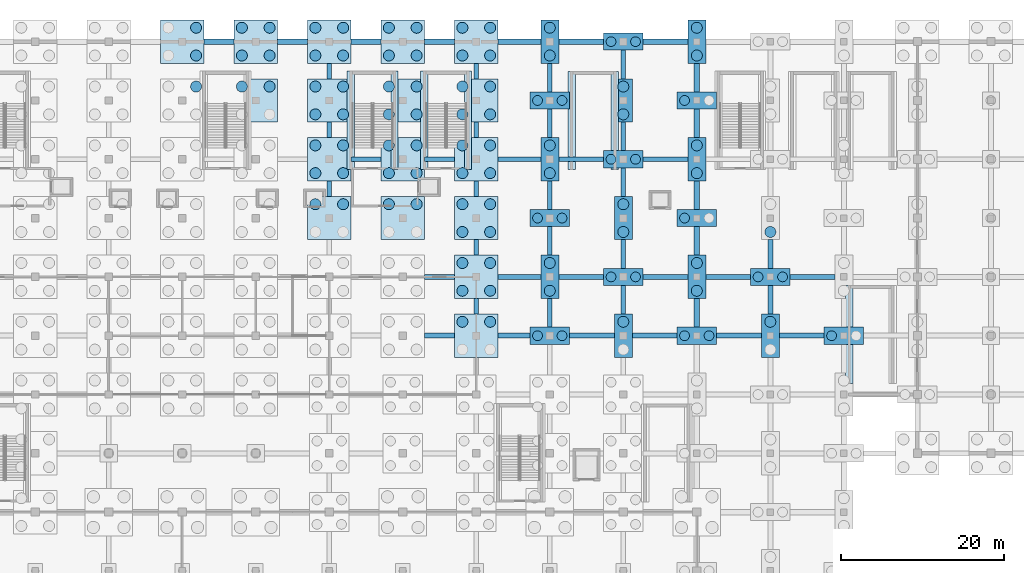
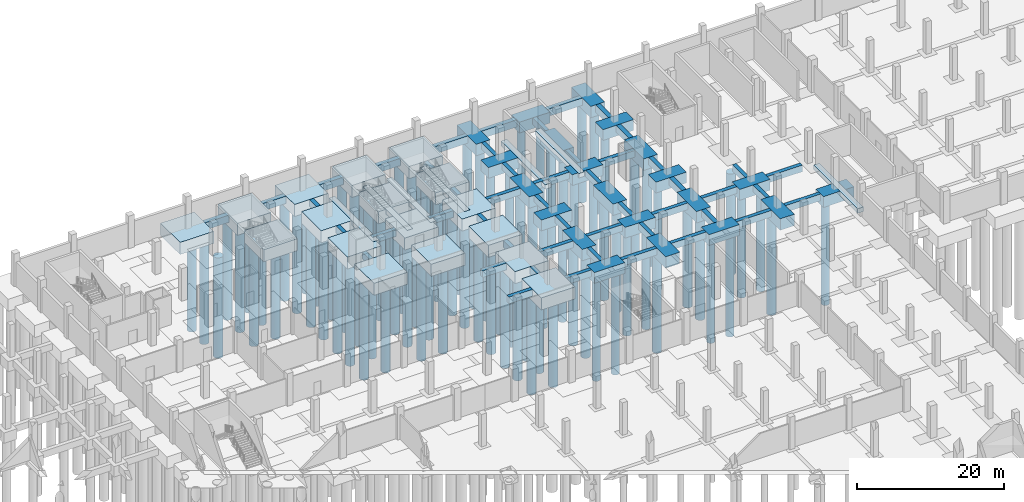
# One storey, part 10 of 39: 97 piles, 94 footings.
"""IFC4 building model written with IfcOpenShell, lengths in metres."""

from ifc_helpers import new_model, si_unit, direction, frame, origin, origin_2d, place, context, subcontext, project, spatial, rectangle, circle, extrude, material, material_profile, profile_set, type_object, element, save


model = new_model("IFC4")

# Units and contexts
model_context = context("Model", 3, precision=1e-05, world=origin(), true_north=direction((0.0, 1.0)))
body_context = subcontext(model_context, "Body", "Model", "MODEL_VIEW")
ifc_project = project(units=[si_unit("LENGTHUNIT", "METRE"), si_unit("AREAUNIT", "SQUARE_METRE"), si_unit("VOLUMEUNIT", "CUBIC_METRE"), si_unit("PLANEANGLEUNIT", "RADIAN"), si_unit("MASSUNIT", "GRAM", prefix="KILO")], contexts=[model_context])

# Site, building, storey
site_placement = place(None, origin())
site = spatial("IfcSite", under=ifc_project, at=site_placement, CompositionType="ELEMENT")
building_placement = place(site_placement, origin())
building = spatial("IfcBuilding", under=site, at=building_placement, Name="Celestram Park Convention Centre", CompositionType="ELEMENT")
storey_placement = place(building_placement, frame((0.0, 0.0, -5.39990234375)))
storey = spatial("IfcBuildingStorey", under=building, at=storey_placement, Name="B1", CompositionType="ELEMENT", Elevation=-5.39990234375)

# Footings
ifc_material_1 = material(Name="Concrete C40/50", Category="concrete")
footing_type_1 = type_object("IfcFootingType", Name="STR-CAP-PC4", PredefinedType="PILE_CAP", material=ifc_material_1)
for number, where, z_axis, x_axis, name in (
    (1, (108.0, 129.60009765625, -1.80029296875), (0.0, 0.0, 1.0), (1.0, 0.0, 0.0), "Caisson cap PC-04 at (108.0, 129.6)"),
    (2, (108.0, 144.0, -1.80029296875), (0.0, 0.0, 1.0), (1.0, 0.0, 0.0), "Caisson cap PC-04 at (108.0, 144.0)"),
    (3, (108.0, 158.39990234375, -1.80029296875), (0.0, 0.0, 1.0), (1.0, 0.0, 0.0), "Caisson cap PC-04 at (108.0, 158.4)"),
    (4, (117.0, 136.800048828125, -1.80029296875), (0.0, 0.0, 1.0), (1.0, 0.0, 0.0), "Caisson cap PC-04 at (117.0, 136.8)"),
    (5, (117.0, 151.199951171875, -1.80029296875), (0.0, 0.0, 1.0), (1.0, 0.0, 0.0), "Caisson cap PC-04 at (117.0, 151.2)"),
    (6, (117.0, 165.60009765625, -1.80029296875), (0.0, 0.0, 1.0), (1.0, 0.0, 0.0), "Caisson cap PC-04 at (117.0, 165.6)"),
    (7, (126.0, 129.60009765625, -1.80029296875), (0.0, 0.0, 1.0), (1.0, 0.0, 0.0), "Caisson cap PC-04 at (126.0, 129.6)"),
    (8, (126.0, 144.0, -1.80029296875), (0.0, 0.0, 1.0), (1.0, 0.0, 0.0), "Caisson cap PC-04 at (126.0, 144.0)"),
    (9, (126.0, 158.39990234375, -1.80029296875), (0.0, 0.0, 1.0), (1.0, 0.0, 0.0), "Caisson cap PC-04 at (126.0, 158.4)"),
    (10, (135.0, 136.800048828125, -1.80029296875), (0.0, 0.0, 1.0), (1.0, 0.0, 0.0), "Caisson cap PC-04 at (135.0, 136.8)"),
    (11, (144.0, 129.60009765625, -1.80029296875), (0.0, 0.0, 1.0), (1.0, 0.0, 0.0), "Caisson cap PC-04 at (144.0, 129.6)"),
):
    element("IfcFooting", number, at=place(storey_placement, frame(where, z_axis=z_axis, x_axis=x_axis)), inside=storey, type_object=footing_type_1, Name=name, PredefinedType="PILE_CAP", context=body_context, shape_type="SweptSolid", body=[
        extrude(rectangle(XDim=4.800048828125, YDim=2.10009765625, at=origin_2d()), origin(), (0.0, 0.0, 1.0), 1.800048828125),
    ])
footing_type_2 = type_object("IfcFootingType", Name="STR-CAP-PC5", PredefinedType="PILE_CAP", material=ifc_material_1)
for number, where, z_axis, x_axis, name in (
    (12, (108.0, 136.800048828125, -1.900146484375), (0.0, 0.0, 1.0), (1.0, 0.0, 0.0), "Caisson cap PC-05 at (108.0, 136.8)"),
    (13, (108.0, 151.199951171875, -1.900146484375), (0.0, 0.0, 1.0), (1.0, 0.0, 0.0), "Caisson cap PC-05 at (108.0, 151.2)"),
    (14, (108.0, 165.60009765625, -1.900146484375), (0.0, 0.0, 1.0), (1.0, 0.0, 0.0), "Caisson cap PC-05 at (108.0, 165.6)"),
    (15, (117.0, 129.60009765625, -1.900146484375), (0.0, 0.0, 1.0), (1.0, 0.0, 0.0), "Caisson cap PC-05 at (117.0, 129.6)"),
    (16, (117.0, 144.0, -1.900146484375), (0.0, 0.0, 1.0), (1.0, 0.0, 0.0), "Caisson cap PC-05 at (117.0, 144.0)"),
    (17, (117.0, 158.39990234375, -1.900146484375), (0.0, 0.0, 1.0), (1.0, 0.0, 0.0), "Caisson cap PC-05 at (117.0, 158.4)"),
    (18, (126.0, 136.800048828125, -1.900146484375), (0.0, 0.0, 1.0), (1.0, 0.0, 0.0), "Caisson cap PC-05 at (126.0, 136.8)"),
    (19, (126.0, 151.199951171875, -1.900146484375), (0.0, 0.0, 1.0), (1.0, 0.0, 0.0), "Caisson cap PC-05 at (126.0, 151.2)"),
    (20, (126.0, 165.60009765625, -1.900146484375), (0.0, 0.0, 1.0), (1.0, 0.0, 0.0), "Caisson cap PC-05 at (126.0, 165.6)"),
    (21, (135.0, 129.60009765625, -1.900146484375), (0.0, 0.0, 1.0), (1.0, 0.0, 0.0), "Caisson cap PC-05 at (135.0, 129.6)"),
):
    element("IfcFooting", number, at=place(storey_placement, frame(where, z_axis=z_axis, x_axis=x_axis)), inside=storey, type_object=footing_type_2, Name=name, PredefinedType="PILE_CAP", context=body_context, shape_type="SweptSolid", body=[
        extrude(rectangle(XDim=2.199951171875, YDim=5.300048828125, at=origin_2d()), origin(), (0.0, 0.0, 1.0), 1.89990234375),
    ])
footing_type_3 = type_object("IfcFootingType", Name="STR-CAP-PC7", PredefinedType="PILE_CAP", material=ifc_material_1)
for number, where, z_axis, x_axis, name in (
    (22, (63.0, 165.60009765625, -2.0), (0.0, 0.0, 1.0), (1.0, 0.0, 0.0), "Caisson cap PC-07 at (63.0, 165.6)"),
    (23, (72.0, 158.39990234375, -2.0), (0.0, 0.0, 1.0), (1.0, 0.0, 0.0), "Caisson cap PC-07 at (72.0, 158.4)"),
    (24, (72.0, 165.60009765625, -2.0), (0.0, 0.0, 1.0), (1.0, 0.0, 0.0), "Caisson cap PC-07 at (72.0, 165.6)"),
    (25, (81.0, 144.0, -2.0), (0.0, 0.0, 1.0), (1.0, 0.0, 0.0), "Caisson cap PC-07 at (81.0, 144.0)"),
    (26, (81.0, 151.199951171875, -2.0), (0.0, 0.0, 1.0), (1.0, 0.0, 0.0), "Caisson cap PC-07 at (81.0, 151.2)"),
    (27, (81.0, 158.39990234375, -2.0), (0.0, 0.0, 1.0), (1.0, 0.0, 0.0), "Caisson cap PC-07 at (81.0, 158.4)"),
    (28, (81.0, 165.60009765625, -2.0), (0.0, 0.0, 1.0), (1.0, 0.0, 0.0), "Caisson cap PC-07 at (81.0, 165.6)"),
    (29, (90.0, 144.0, -2.0), (0.0, 0.0, 1.0), (1.0, 0.0, 0.0), "Caisson cap PC-07 at (90.0, 144.0)"),
    (30, (90.0, 151.199951171875, -2.0), (0.0, 0.0, 1.0), (1.0, 0.0, 0.0), "Caisson cap PC-07 at (90.0, 151.2)"),
    (31, (90.0, 158.39990234375, -2.0), (0.0, 0.0, 1.0), (1.0, 0.0, 0.0), "Caisson cap PC-07 at (90.0, 158.4)"),
    (32, (90.0, 165.60009765625, -2.0), (0.0, 0.0, 1.0), (1.0, 0.0, 0.0), "Caisson cap PC-07 at (90.0, 165.6)"),
    (33, (99.0, 129.60009765625, -2.0), (0.0, 0.0, 1.0), (1.0, 0.0, 0.0), "Caisson cap PC-07 at (99.0, 129.6)"),
    (34, (99.0, 136.800048828125, -2.0), (0.0, 0.0, 1.0), (1.0, 0.0, 0.0), "Caisson cap PC-07 at (99.0, 136.8)"),
    (35, (99.0, 144.0, -2.0), (0.0, 0.0, 1.0), (1.0, 0.0, 0.0), "Caisson cap PC-07 at (99.0, 144.0)"),
    (36, (99.0, 151.199951171875, -2.0), (0.0, 0.0, 1.0), (1.0, 0.0, 0.0), "Caisson cap PC-07 at (99.0, 151.2)"),
    (37, (99.0, 158.39990234375, -2.0), (0.0, 0.0, 1.0), (1.0, 0.0, 0.0), "Caisson cap PC-07 at (99.0, 158.4)"),
    (38, (99.0, 165.60009765625, -2.0), (0.0, 0.0, 1.0), (1.0, 0.0, 0.0), "Caisson cap PC-07 at (99.0, 165.6)"),
):
    element("IfcFooting", number, at=place(storey_placement, frame(where, z_axis=z_axis, x_axis=x_axis)), inside=storey, type_object=footing_type_3, Name=name, PredefinedType="PILE_CAP", context=body_context, shape_type="SweptSolid", body=[
        extrude(rectangle(XDim=5.300048828125, YDim=5.300048828125, at=origin_2d()), origin(), (0.0, 0.0, 1.0), 2.0),
    ])
ifc_material_2 = material(Name="Concrete C35/45", Category="concrete")
footing_type_4 = type_object("IfcFootingType", Name="STR-FTG-GB07", PredefinedType="FOOTING_BEAM", material=ifc_material_2)
for number, where, z_axis, x_axis, name in (
    (39, (104.27490234375, 136.800048828125, -1.10009765625), (0.0, 0.0, 1.0), (1.0, 0.0, 0.0), "Grade tie beam GB-B1-268"),
    (40, (104.27490234375, 151.199951171875, -1.10009765625), (0.0, 0.0, 1.0), (1.0, 0.0, 0.0), "Grade tie beam GB-B1-271"),
):
    element("IfcFooting", number, at=place(storey_placement, frame(where, z_axis=z_axis, x_axis=x_axis)), inside=storey, type_object=footing_type_4, Name=name, PredefinedType="FOOTING_BEAM", context=body_context, shape_type="SweptSolid", body=[
        extrude(rectangle(XDim=5.25, YDim=0.60009765625, at=origin_2d()), origin(), (0.0, 0.0, 1.0), 1.10009765625),
    ])
footing_type_5 = type_object("IfcFootingType", Name="STR-FTG-GB17", PredefinedType="FOOTING_BEAM", material=ifc_material_2)
for number, where, z_axis, x_axis, name in (
    (41, (85.5, 151.199951171875, -1.10009765625), (0.0, 0.0, 1.0), (1.0, 0.0, 0.0), "Grade tie beam GB-B1-222"),
    (42, (94.5, 129.60009765625, -1.10009765625), (0.0, 0.0, 1.0), (1.0, 0.0, 0.0), "Grade tie beam GB-B1-235"),
    (43, (94.5, 136.800048828125, -1.10009765625), (0.0, 0.0, 1.0), (1.0, 0.0, 0.0), "Grade tie beam GB-B1-236"),
    (44, (94.5, 151.199951171875, -1.10009765625), (0.0, 0.0, 1.0), (1.0, 0.0, 0.0), "Grade tie beam GB-B1-237"),
):
    element("IfcFooting", number, at=place(storey_placement, frame(where, z_axis=z_axis, x_axis=x_axis)), inside=storey, type_object=footing_type_5, Name=name, PredefinedType="FOOTING_BEAM", context=body_context, shape_type="SweptSolid", body=[
        extrude(rectangle(XDim=3.699951171875, YDim=0.60009765625, at=origin_2d()), origin(), (0.0, 0.0, 1.0), 1.10009765625),
    ])
footing_type_6 = type_object("IfcFootingType", Name="STR-FTG-GB19", PredefinedType="FOOTING_BEAM", material=ifc_material_2)
for number, where, z_axis, x_axis, name in (
    (45, (67.5, 165.60009765625, -1.2001953125), (0.0, 0.0, 1.0), (1.0, 0.0, 0.0), "Grade tie beam GB-B1-176"),
    (46, (76.5, 165.60009765625, -1.2001953125), (0.0, 0.0, 1.0), (1.0, 0.0, 0.0), "Grade tie beam GB-B1-189"),
    (47, (85.5, 165.60009765625, -1.2001953125), (0.0, 0.0, 1.0), (1.0, 0.0, 0.0), "Grade tie beam GB-B1-225"),
    (48, (94.5, 165.60009765625, -1.2001953125), (0.0, 0.0, 1.0), (1.0, 0.0, 0.0), "Grade tie beam GB-B1-238"),
):
    element("IfcFooting", number, at=place(storey_placement, frame(where, z_axis=z_axis, x_axis=x_axis)), inside=storey, type_object=footing_type_6, Name=name, PredefinedType="FOOTING_BEAM", context=body_context, shape_type="SweptSolid", body=[
        extrude(rectangle(XDim=3.699951171875, YDim=0.699951171875, at=origin_2d()), origin(), (0.0, 0.0, 1.0), 1.199951171875),
    ])
footing_type_7 = type_object("IfcFootingType", Name="STR-FTG-GB23", PredefinedType="FOOTING_BEAM", material=ifc_material_2)
for number, where, z_axis, x_axis, name in (
    (49, (108.0, 132.39990234375, -1.10009765625), (0.0, 0.0, 1.0), (0.0, 1.0, 0.0), "Grade tie beam GB-B1-303"),
    (50, (108.0, 141.199951171875, -1.10009765625), (0.0, 0.0, 1.0), (0.0, 1.0, 0.0), "Grade tie beam GB-B1-305"),
    (51, (108.0, 146.800048828125, -1.10009765625), (0.0, 0.0, 1.0), (0.0, 1.0, 0.0), "Grade tie beam GB-B1-306"),
    (52, (108.0, 155.60009765625, -1.10009765625), (0.0, 0.0, 1.0), (0.0, 1.0, 0.0), "Grade tie beam GB-B1-308"),
    (53, (108.0, 161.199951171875, -1.10009765625), (0.0, 0.0, 1.0), (0.0, 1.0, 0.0), "Grade tie beam GB-B1-309"),
    (54, (117.0, 134.0, -1.10009765625), (0.0, 0.0, 1.0), (0.0, 1.0, 0.0), "Grade tie beam GB-B1-338"),
    (55, (117.0, 139.60009765625, -1.10009765625), (0.0, 0.0, 1.0), (0.0, 1.0, 0.0), "Grade tie beam GB-B1-340"),
    (56, (117.0, 148.39990234375, -1.10009765625), (0.0, 0.0, 1.0), (0.0, 1.0, 0.0), "Grade tie beam GB-B1-341"),
    (57, (117.0, 154.0, -1.10009765625), (0.0, 0.0, 1.0), (0.0, 1.0, 0.0), "Grade tie beam GB-B1-343"),
    (58, (117.0, 162.800048828125, -1.10009765625), (0.0, 0.0, 1.0), (0.0, 1.0, 0.0), "Grade tie beam GB-B1-344"),
    (59, (135.0, 134.0, -1.10009765625), (0.0, 0.0, 1.0), (0.0, 1.0, 0.0), "Grade tie beam GB-B1-402"),
    (60, (135.0, 139.60009765625, -1.10009765625), (0.0, 0.0, 1.0), (0.0, 1.0, 0.0), "Grade tie beam GB-B1-404"),
):
    element("IfcFooting", number, at=place(storey_placement, frame(where, z_axis=z_axis, x_axis=x_axis)), inside=storey, type_object=footing_type_7, Name=name, PredefinedType="FOOTING_BEAM", context=body_context, shape_type="SweptSolid", body=[
        extrude(rectangle(XDim=3.5, YDim=0.60009765625, at=origin_2d()), origin(), (0.0, 0.0, 1.0), 1.10009765625),
    ])
footing_type_8 = type_object("IfcFootingType", Name="STR-FTG-GB24", PredefinedType="FOOTING_BEAM", material=ifc_material_2)
for number, where, z_axis, x_axis, name in (
    (61, (81.0, 147.60009765625, -1.10009765625), (0.0, 0.0, 1.0), (0.0, 1.0, 0.0), "Grade tie beam GB-B1-221"),
    (62, (81.0, 154.800048828125, -1.10009765625), (0.0, 0.0, 1.0), (0.0, 1.0, 0.0), "Grade tie beam GB-B1-223"),
    (63, (81.0, 162.0, -1.10009765625), (0.0, 0.0, 1.0), (0.0, 1.0, 0.0), "Grade tie beam GB-B1-224"),
    (64, (99.0, 133.199951171875, -1.10009765625), (0.0, 0.0, 1.0), (0.0, 1.0, 0.0), "Grade tie beam GB-B1-267"),
    (65, (99.0, 140.39990234375, -1.10009765625), (0.0, 0.0, 1.0), (0.0, 1.0, 0.0), "Grade tie beam GB-B1-269"),
    (66, (99.0, 147.60009765625, -1.10009765625), (0.0, 0.0, 1.0), (0.0, 1.0, 0.0), "Grade tie beam GB-B1-270"),
    (67, (99.0, 154.800048828125, -1.10009765625), (0.0, 0.0, 1.0), (0.0, 1.0, 0.0), "Grade tie beam GB-B1-272"),
    (68, (99.0, 162.0, -1.10009765625), (0.0, 0.0, 1.0), (0.0, 1.0, 0.0), "Grade tie beam GB-B1-273"),
):
    element("IfcFooting", number, at=place(storey_placement, frame(where, z_axis=z_axis, x_axis=x_axis)), inside=storey, type_object=footing_type_8, Name=name, PredefinedType="FOOTING_BEAM", context=body_context, shape_type="SweptSolid", body=[
        extrude(rectangle(XDim=1.89990234375, YDim=0.60009765625, at=origin_2d()), origin(), (0.0, 0.0, 1.0), 1.10009765625),
    ])
footing_type_9 = type_object("IfcFootingType", Name="STR-FTG-GB26", PredefinedType="FOOTING_BEAM", material=ifc_material_2)
footing_1_placement = place(storey_placement, frame((103.625, 129.60009765625, -1.10009765625), z_axis=(0.0, 0.0, 1.0), x_axis=(1.0, 0.0, 0.0)))
element("IfcFooting", 69, at=footing_1_placement, inside=storey, type_object=footing_type_9, Name="Grade tie beam GB-B1-266", PredefinedType="FOOTING_BEAM", context=body_context, shape_type="SweptSolid", body=[
    extrude(rectangle(XDim=3.949951171875, YDim=0.60009765625, at=origin_2d()), origin(), (0.0, 0.0, 1.0), 1.10009765625),
])
footing_type_10 = type_object("IfcFootingType", Name="STR-FTG-GB31", PredefinedType="FOOTING_BEAM", material=ifc_material_2)
footing_2_placement = place(storey_placement, frame((104.27490234375, 165.60009765625, -1.2001953125), z_axis=(0.0, 0.0, 1.0), x_axis=(1.0, 0.0, 0.0)))
element("IfcFooting", 70, at=footing_2_placement, inside=storey, type_object=footing_type_10, Name="Grade tie beam GB-B1-274", PredefinedType="FOOTING_BEAM", context=body_context, shape_type="SweptSolid", body=[
    extrude(rectangle(XDim=5.25, YDim=0.699951171875, at=origin_2d()), origin(), (0.0, 0.0, 1.0), 1.199951171875),
])
footing_type_11 = type_object("IfcFootingType", Name="STR-FTG-GB33", PredefinedType="FOOTING_BEAM", material=ifc_material_2)
for number, where, z_axis, x_axis, name in (
    (71, (113.14990234375, 129.60009765625, -1.10009765625), (0.0, 0.0, 1.0), (1.0, 0.0, 0.0), "Grade tie beam GB-B1-302"),
    (72, (111.85009765625, 136.800048828125, -1.10009765625), (0.0, 0.0, 1.0), (1.0, 0.0, 0.0), "Grade tie beam GB-B1-304"),
    (73, (111.85009765625, 151.199951171875, -1.10009765625), (0.0, 0.0, 1.0), (1.0, 0.0, 0.0), "Grade tie beam GB-B1-307"),
    (74, (120.85009765625, 129.60009765625, -1.10009765625), (0.0, 0.0, 1.0), (1.0, 0.0, 0.0), "Grade tie beam GB-B1-337"),
    (75, (122.14990234375, 136.800048828125, -1.10009765625), (0.0, 0.0, 1.0), (1.0, 0.0, 0.0), "Grade tie beam GB-B1-339"),
    (76, (122.14990234375, 151.199951171875, -1.10009765625), (0.0, 0.0, 1.0), (1.0, 0.0, 0.0), "Grade tie beam GB-B1-342"),
    (77, (131.14990234375, 129.60009765625, -1.10009765625), (0.0, 0.0, 1.0), (1.0, 0.0, 0.0), "Grade tie beam GB-B1-369"),
    (78, (129.85009765625, 136.800048828125, -1.10009765625), (0.0, 0.0, 1.0), (1.0, 0.0, 0.0), "Grade tie beam GB-B1-371"),
    (79, (138.85009765625, 129.60009765625, -1.10009765625), (0.0, 0.0, 1.0), (1.0, 0.0, 0.0), "Grade tie beam GB-B1-401"),
    (80, (140.14990234375, 136.800048828125, -1.10009765625), (0.0, 0.0, 1.0), (1.0, 0.0, 0.0), "Grade tie beam GB-B1-403"),
):
    element("IfcFooting", number, at=place(storey_placement, frame(where, z_axis=z_axis, x_axis=x_axis)), inside=storey, type_object=footing_type_11, Name=name, PredefinedType="FOOTING_BEAM", context=body_context, shape_type="SweptSolid", body=[
        extrude(rectangle(XDim=5.5, YDim=0.60009765625, at=origin_2d()), origin(), (0.0, 0.0, 1.0), 1.10009765625),
    ])
footing_type_12 = type_object("IfcFootingType", Name="STR-FTG-GB34", PredefinedType="FOOTING_BEAM", material=ifc_material_2)
for number, where, z_axis, x_axis, name in (
    (81, (111.85009765625, 165.60009765625, -1.2001953125), (0.0, 0.0, 1.0), (1.0, 0.0, 0.0), "Grade tie beam GB-B1-310"),
    (82, (122.14990234375, 165.60009765625, -1.2001953125), (0.0, 0.0, 1.0), (1.0, 0.0, 0.0), "Grade tie beam GB-B1-345"),
):
    element("IfcFooting", number, at=place(storey_placement, frame(where, z_axis=z_axis, x_axis=x_axis)), inside=storey, type_object=footing_type_12, Name=name, PredefinedType="FOOTING_BEAM", context=body_context, shape_type="SweptSolid", body=[
        extrude(rectangle(XDim=5.5, YDim=0.699951171875, at=origin_2d()), origin(), (0.0, 0.0, 1.0), 1.199951171875),
    ])
footing_type_13 = type_object("IfcFootingType", Name="STR-FTG-GB39", PredefinedType="FOOTING_BEAM", material=ifc_material_2)
for number, where, z_axis, x_axis, name in (
    (83, (126.0, 132.39990234375, -1.2001953125), (0.0, 0.0, 1.0), (0.0, 1.0, 0.0), "Grade tie beam GB-B1-370"),
    (84, (126.0, 141.199951171875, -1.2001953125), (0.0, 0.0, 1.0), (0.0, 1.0, 0.0), "Grade tie beam GB-B1-372"),
    (85, (126.0, 146.800048828125, -1.2001953125), (0.0, 0.0, 1.0), (0.0, 1.0, 0.0), "Grade tie beam GB-B1-373"),
    (86, (126.0, 155.60009765625, -1.2001953125), (0.0, 0.0, 1.0), (0.0, 1.0, 0.0), "Grade tie beam GB-B1-375"),
    (87, (126.0, 161.199951171875, -1.2001953125), (0.0, 0.0, 1.0), (0.0, 1.0, 0.0), "Grade tie beam GB-B1-376"),
):
    element("IfcFooting", number, at=place(storey_placement, frame(where, z_axis=z_axis, x_axis=x_axis)), inside=storey, type_object=footing_type_13, Name=name, PredefinedType="FOOTING_BEAM", context=body_context, shape_type="SweptSolid", body=[
        extrude(rectangle(XDim=3.5, YDim=0.699951171875, at=origin_2d()), origin(), (0.0, 0.0, 1.0), 1.199951171875),
    ])
footing_type_14 = type_object("IfcFootingType", Name="STR-FTG-SF49", PredefinedType="STRIP_FOOTING", material=ifc_material_2)
for number, where, z_axis, x_axis, name in (
    (88, (83.64990234375, 155.965087890625, -0.75), (0.0, 0.0, 1.0), (0.0, 1.0, 0.0), "Core C2 strip footing"),
    (89, (88.989990234375, 155.965087890625, -0.75), (0.0, 0.0, 1.0), (0.0, 1.0, 0.0), "Core C2 strip footing"),
    (90, (92.64990234375, 155.965087890625, -0.75), (0.0, 0.0, 1.0), (0.0, 1.0, 0.0), "Core S19 strip footing"),
    (91, (97.989990234375, 155.965087890625, -0.75), (0.0, 0.0, 1.0), (0.0, 1.0, 0.0), "Core S19 strip footing"),
):
    element("IfcFooting", number, at=place(storey_placement, frame(where, z_axis=z_axis, x_axis=x_axis)), inside=storey, type_object=footing_type_14, Name=name, PredefinedType="STRIP_FOOTING", context=body_context, shape_type="SweptSolid", body=[
        extrude(rectangle(XDim=12.030029296875, YDim=0.89990234375, at=origin_2d()), origin(), (0.0, 0.0, 1.0), 0.75),
    ])
footing_type_15 = type_object("IfcFootingType", Name="STR-FTG-SF50", PredefinedType="STRIP_FOOTING", material=ifc_material_2)
for number, where, z_axis, x_axis, name in (
    (92, (144.669921875, 129.7451171875, -0.75), (0.0, 0.0, 1.0), (0.0, 1.0, 0.0), "Core S10 strip footing"),
    (93, (110.669921875, 155.945068359375, -0.75), (0.0, 0.0, 1.0), (0.0, 1.0, 0.0), "Core S16 strip footing"),
    (94, (115.969970703125, 155.945068359375, -0.75), (0.0, 0.0, 1.0), (0.0, 1.0, 0.0), "Core S16 strip footing"),
):
    element("IfcFooting", number, at=place(storey_placement, frame(where, z_axis=z_axis, x_axis=x_axis)), inside=storey, type_object=footing_type_15, Name=name, PredefinedType="STRIP_FOOTING", context=body_context, shape_type="SweptSolid", body=[
        extrude(rectangle(XDim=11.989990234375, YDim=0.89990234375, at=origin_2d()), origin(), (0.0, 0.0, 1.0), 0.75),
    ])

# Piles
ifc_material_profile_1 = material_profile(ifc_material_1, circle(Radius=0.60009765625, at=origin_2d()), Name="CAISSON1200")
ifc_profile_set_1 = profile_set([ifc_material_profile_1], Name="Concrete C40/50")
pile_type_1 = type_object("IfcPileType", Name="STR-PIL-C1200", PredefinedType="BORED", material=ifc_profile_set_1)
for number, where, z_axis, x_axis, name in (
    (95, (106.5, 129.60009765625, -1.7001953125), (0.0, 0.0, -1.0), (1.0, 0.0, 0.0), "Bored caisson PC-B1-529"),
    (96, (109.5, 129.60009765625, -1.7001953125), (0.0, 0.0, -1.0), (1.0, 0.0, 0.0), "Bored caisson PC-B1-530"),
    (97, (106.5, 144.0, -1.7001953125), (0.0, 0.0, -1.0), (1.0, 0.0, 0.0), "Bored caisson PC-B1-533"),
    (98, (109.5, 144.0, -1.7001953125), (0.0, 0.0, -1.0), (1.0, 0.0, 0.0), "Bored caisson PC-B1-534"),
    (99, (106.5, 158.39990234375, -1.7001953125), (0.0, 0.0, -1.0), (1.0, 0.0, 0.0), "Bored caisson PC-B1-537"),
    (100, (109.5, 158.39990234375, -1.7001953125), (0.0, 0.0, -1.0), (1.0, 0.0, 0.0), "Bored caisson PC-B1-538"),
    (101, (115.5, 136.800048828125, -1.7001953125), (0.0, 0.0, -1.0), (1.0, 0.0, 0.0), "Bored caisson PC-B1-570"),
    (102, (118.5, 136.800048828125, -1.7001953125), (0.0, 0.0, -1.0), (1.0, 0.0, 0.0), "Bored caisson PC-B1-571"),
    (103, (115.5, 151.199951171875, -1.7001953125), (0.0, 0.0, -1.0), (1.0, 0.0, 0.0), "Bored caisson PC-B1-574"),
    (104, (118.5, 151.199951171875, -1.7001953125), (0.0, 0.0, -1.0), (1.0, 0.0, 0.0), "Bored caisson PC-B1-575"),
    (105, (115.5, 165.60009765625, -1.7001953125), (0.0, 0.0, -1.0), (1.0, 0.0, 0.0), "Bored caisson PC-B1-578"),
    (106, (118.5, 165.60009765625, -1.7001953125), (0.0, 0.0, -1.0), (1.0, 0.0, 0.0), "Bored caisson PC-B1-579"),
    (107, (124.5, 129.60009765625, -1.7001953125), (0.0, 0.0, -1.0), (1.0, 0.0, 0.0), "Bored caisson PC-B1-611"),
    (108, (127.5, 129.60009765625, -1.7001953125), (0.0, 0.0, -1.0), (1.0, 0.0, 0.0), "Bored caisson PC-B1-612"),
    (109, (124.5, 144.0, -1.7001953125), (0.0, 0.0, -1.0), (1.0, 0.0, 0.0), "Bored caisson PC-B1-615"),
    (110, (124.5, 158.39990234375, -1.7001953125), (0.0, 0.0, -1.0), (1.0, 0.0, 0.0), "Bored caisson PC-B1-619"),
    (111, (133.5, 136.800048828125, -1.7001953125), (0.0, 0.0, -1.0), (1.0, 0.0, 0.0), "Bored caisson PC-B1-653"),
    (112, (136.5, 136.800048828125, -1.7001953125), (0.0, 0.0, -1.0), (1.0, 0.0, 0.0), "Bored caisson PC-B1-654"),
    (113, (142.5, 129.60009765625, -1.7001953125), (0.0, 0.0, -1.0), (1.0, 0.0, 0.0), "Bored caisson PC-B1-694"),
):
    element("IfcPile", number, at=place(storey_placement, frame(where, z_axis=z_axis, x_axis=x_axis)), inside=storey, type_object=pile_type_1, Name=name, PredefinedType="BORED", context=body_context, shape_type="SweptSolid", body=[
        extrude(circle(Radius=0.60009765625, at=origin_2d()), origin(), (0.0, 0.0, 1.0), 16.89990234375),
    ])
ifc_material_profile_2 = material_profile(ifc_material_1, circle(Radius=0.675048828125, at=origin_2d()), Name="CAISSON1350")
ifc_profile_set_2 = profile_set([ifc_material_profile_2], Name="Concrete C40/50")
pile_type_2 = type_object("IfcPileType", Name="STR-PIL-C1350", PredefinedType="BORED", material=ifc_profile_set_2)
for number, where, z_axis, x_axis, name in (
    (114, (64.699951171875, 160.10009765625, -1.900146484375), (0.0, 0.0, -1.0), (1.0, 0.0, 0.0), "Bored caisson PC-B1-287"),
    (115, (64.699951171875, 163.89990234375, -1.900146484375), (0.0, 0.0, -1.0), (1.0, 0.0, 0.0), "Bored caisson PC-B1-289"),
    (116, (64.699951171875, 167.300048828125, -1.900146484375), (0.0, 0.0, -1.0), (1.0, 0.0, 0.0), "Bored caisson PC-B1-291"),
    (117, (70.300048828125, 160.10009765625, -1.900146484375), (0.0, 0.0, -1.0), (1.0, 0.0, 0.0), "Bored caisson PC-B1-337"),
    (118, (73.699951171875, 160.10009765625, -1.900146484375), (0.0, 0.0, -1.0), (1.0, 0.0, 0.0), "Bored caisson PC-B1-338"),
    (119, (70.300048828125, 163.89990234375, -1.900146484375), (0.0, 0.0, -1.0), (1.0, 0.0, 0.0), "Bored caisson PC-B1-339"),
    (120, (73.699951171875, 163.89990234375, -1.900146484375), (0.0, 0.0, -1.0), (1.0, 0.0, 0.0), "Bored caisson PC-B1-340"),
    (121, (70.300048828125, 167.300048828125, -1.900146484375), (0.0, 0.0, -1.0), (1.0, 0.0, 0.0), "Bored caisson PC-B1-341"),
    (122, (73.699951171875, 167.300048828125, -1.900146484375), (0.0, 0.0, -1.0), (1.0, 0.0, 0.0), "Bored caisson PC-B1-342"),
    (123, (79.300048828125, 145.699951171875, -1.900146484375), (0.0, 0.0, -1.0), (1.0, 0.0, 0.0), "Bored caisson PC-B1-380"),
    (124, (82.699951171875, 145.699951171875, -1.900146484375), (0.0, 0.0, -1.0), (1.0, 0.0, 0.0), "Bored caisson PC-B1-381"),
    (125, (79.300048828125, 149.5, -1.900146484375), (0.0, 0.0, -1.0), (1.0, 0.0, 0.0), "Bored caisson PC-B1-382"),
    (126, (82.699951171875, 149.5, -1.900146484375), (0.0, 0.0, -1.0), (1.0, 0.0, 0.0), "Bored caisson PC-B1-383"),
    (127, (79.300048828125, 152.89990234375, -1.900146484375), (0.0, 0.0, -1.0), (1.0, 0.0, 0.0), "Bored caisson PC-B1-384"),
    (128, (82.699951171875, 152.89990234375, -1.900146484375), (0.0, 0.0, -1.0), (1.0, 0.0, 0.0), "Bored caisson PC-B1-385"),
    (129, (79.300048828125, 156.699951171875, -1.900146484375), (0.0, 0.0, -1.0), (1.0, 0.0, 0.0), "Bored caisson PC-B1-386"),
    (130, (82.699951171875, 156.699951171875, -1.900146484375), (0.0, 0.0, -1.0), (1.0, 0.0, 0.0), "Bored caisson PC-B1-387"),
    (131, (79.300048828125, 160.10009765625, -1.900146484375), (0.0, 0.0, -1.0), (1.0, 0.0, 0.0), "Bored caisson PC-B1-388"),
    (132, (82.699951171875, 160.10009765625, -1.900146484375), (0.0, 0.0, -1.0), (1.0, 0.0, 0.0), "Bored caisson PC-B1-389"),
    (133, (79.300048828125, 163.89990234375, -1.900146484375), (0.0, 0.0, -1.0), (1.0, 0.0, 0.0), "Bored caisson PC-B1-390"),
    (134, (82.699951171875, 163.89990234375, -1.900146484375), (0.0, 0.0, -1.0), (1.0, 0.0, 0.0), "Bored caisson PC-B1-391"),
    (135, (79.300048828125, 167.300048828125, -1.900146484375), (0.0, 0.0, -1.0), (1.0, 0.0, 0.0), "Bored caisson PC-B1-392"),
    (136, (82.699951171875, 167.300048828125, -1.900146484375), (0.0, 0.0, -1.0), (1.0, 0.0, 0.0), "Bored caisson PC-B1-393"),
    (137, (88.300048828125, 145.699951171875, -1.900146484375), (0.0, 0.0, -1.0), (1.0, 0.0, 0.0), "Bored caisson PC-B1-434"),
    (138, (91.699951171875, 145.699951171875, -1.900146484375), (0.0, 0.0, -1.0), (1.0, 0.0, 0.0), "Bored caisson PC-B1-435"),
    (139, (88.300048828125, 149.5, -1.900146484375), (0.0, 0.0, -1.0), (1.0, 0.0, 0.0), "Bored caisson PC-B1-436"),
    (140, (91.699951171875, 149.5, -1.900146484375), (0.0, 0.0, -1.0), (1.0, 0.0, 0.0), "Bored caisson PC-B1-437"),
    (141, (88.300048828125, 152.89990234375, -1.900146484375), (0.0, 0.0, -1.0), (1.0, 0.0, 0.0), "Bored caisson PC-B1-438"),
    (142, (91.699951171875, 152.89990234375, -1.900146484375), (0.0, 0.0, -1.0), (1.0, 0.0, 0.0), "Bored caisson PC-B1-439"),
    (143, (88.300048828125, 156.699951171875, -1.900146484375), (0.0, 0.0, -1.0), (1.0, 0.0, 0.0), "Bored caisson PC-B1-440"),
    (144, (91.699951171875, 156.699951171875, -1.900146484375), (0.0, 0.0, -1.0), (1.0, 0.0, 0.0), "Bored caisson PC-B1-441"),
    (145, (88.300048828125, 160.10009765625, -1.900146484375), (0.0, 0.0, -1.0), (1.0, 0.0, 0.0), "Bored caisson PC-B1-442"),
    (146, (91.699951171875, 160.10009765625, -1.900146484375), (0.0, 0.0, -1.0), (1.0, 0.0, 0.0), "Bored caisson PC-B1-443"),
    (147, (88.300048828125, 163.89990234375, -1.900146484375), (0.0, 0.0, -1.0), (1.0, 0.0, 0.0), "Bored caisson PC-B1-444"),
    (148, (91.699951171875, 163.89990234375, -1.900146484375), (0.0, 0.0, -1.0), (1.0, 0.0, 0.0), "Bored caisson PC-B1-445"),
    (149, (88.300048828125, 167.300048828125, -1.900146484375), (0.0, 0.0, -1.0), (1.0, 0.0, 0.0), "Bored caisson PC-B1-446"),
    (150, (91.699951171875, 167.300048828125, -1.900146484375), (0.0, 0.0, -1.0), (1.0, 0.0, 0.0), "Bored caisson PC-B1-447"),
    (151, (97.300048828125, 131.300048828125, -1.900146484375), (0.0, 0.0, -1.0), (1.0, 0.0, 0.0), "Bored caisson PC-B1-477"),
    (152, (100.699951171875, 131.300048828125, -1.900146484375), (0.0, 0.0, -1.0), (1.0, 0.0, 0.0), "Bored caisson PC-B1-478"),
    (153, (97.300048828125, 135.10009765625, -1.900146484375), (0.0, 0.0, -1.0), (1.0, 0.0, 0.0), "Bored caisson PC-B1-479"),
    (154, (100.699951171875, 135.10009765625, -1.900146484375), (0.0, 0.0, -1.0), (1.0, 0.0, 0.0), "Bored caisson PC-B1-480"),
    (155, (97.300048828125, 138.5, -1.900146484375), (0.0, 0.0, -1.0), (1.0, 0.0, 0.0), "Bored caisson PC-B1-481"),
    (156, (100.699951171875, 138.5, -1.900146484375), (0.0, 0.0, -1.0), (1.0, 0.0, 0.0), "Bored caisson PC-B1-482"),
    (157, (97.300048828125, 142.300048828125, -1.900146484375), (0.0, 0.0, -1.0), (1.0, 0.0, 0.0), "Bored caisson PC-B1-483"),
    (158, (100.699951171875, 142.300048828125, -1.900146484375), (0.0, 0.0, -1.0), (1.0, 0.0, 0.0), "Bored caisson PC-B1-484"),
    (159, (97.300048828125, 145.699951171875, -1.900146484375), (0.0, 0.0, -1.0), (1.0, 0.0, 0.0), "Bored caisson PC-B1-485"),
    (160, (100.699951171875, 145.699951171875, -1.900146484375), (0.0, 0.0, -1.0), (1.0, 0.0, 0.0), "Bored caisson PC-B1-486"),
    (161, (97.300048828125, 149.5, -1.900146484375), (0.0, 0.0, -1.0), (1.0, 0.0, 0.0), "Bored caisson PC-B1-487"),
    (162, (100.699951171875, 149.5, -1.900146484375), (0.0, 0.0, -1.0), (1.0, 0.0, 0.0), "Bored caisson PC-B1-488"),
    (163, (97.300048828125, 152.89990234375, -1.900146484375), (0.0, 0.0, -1.0), (1.0, 0.0, 0.0), "Bored caisson PC-B1-489"),
    (164, (100.699951171875, 152.89990234375, -1.900146484375), (0.0, 0.0, -1.0), (1.0, 0.0, 0.0), "Bored caisson PC-B1-490"),
    (165, (97.300048828125, 156.699951171875, -1.900146484375), (0.0, 0.0, -1.0), (1.0, 0.0, 0.0), "Bored caisson PC-B1-491"),
    (166, (100.699951171875, 156.699951171875, -1.900146484375), (0.0, 0.0, -1.0), (1.0, 0.0, 0.0), "Bored caisson PC-B1-492"),
    (167, (97.300048828125, 160.10009765625, -1.900146484375), (0.0, 0.0, -1.0), (1.0, 0.0, 0.0), "Bored caisson PC-B1-493"),
    (168, (100.699951171875, 160.10009765625, -1.900146484375), (0.0, 0.0, -1.0), (1.0, 0.0, 0.0), "Bored caisson PC-B1-494"),
    (169, (97.300048828125, 163.89990234375, -1.900146484375), (0.0, 0.0, -1.0), (1.0, 0.0, 0.0), "Bored caisson PC-B1-495"),
    (170, (100.699951171875, 163.89990234375, -1.900146484375), (0.0, 0.0, -1.0), (1.0, 0.0, 0.0), "Bored caisson PC-B1-496"),
    (171, (97.300048828125, 167.300048828125, -1.900146484375), (0.0, 0.0, -1.0), (1.0, 0.0, 0.0), "Bored caisson PC-B1-497"),
    (172, (100.699951171875, 167.300048828125, -1.900146484375), (0.0, 0.0, -1.0), (1.0, 0.0, 0.0), "Bored caisson PC-B1-498"),
):
    element("IfcPile", number, at=place(storey_placement, frame(where, z_axis=z_axis, x_axis=x_axis)), inside=storey, type_object=pile_type_2, Name=name, PredefinedType="BORED", context=body_context, shape_type="SweptSolid", body=[
        extrude(circle(Radius=0.675048828125, at=origin_2d()), origin(), (0.0, 0.0, 1.0), 16.699951171875),
    ])
for number, where, z_axis, x_axis, name in (
    (173, (108.0, 135.10009765625, -1.800048828125), (0.0, 0.0, -1.0), (1.0, 0.0, 0.0), "Bored caisson PC-B1-531"),
    (174, (108.0, 138.5, -1.800048828125), (0.0, 0.0, -1.0), (1.0, 0.0, 0.0), "Bored caisson PC-B1-532"),
    (175, (108.0, 149.5, -1.800048828125), (0.0, 0.0, -1.0), (1.0, 0.0, 0.0), "Bored caisson PC-B1-535"),
    (176, (108.0, 152.89990234375, -1.800048828125), (0.0, 0.0, -1.0), (1.0, 0.0, 0.0), "Bored caisson PC-B1-536"),
    (177, (108.0, 163.89990234375, -1.800048828125), (0.0, 0.0, -1.0), (1.0, 0.0, 0.0), "Bored caisson PC-B1-539"),
    (178, (108.0, 167.300048828125, -1.800048828125), (0.0, 0.0, -1.0), (1.0, 0.0, 0.0), "Bored caisson PC-B1-540"),
    (179, (117.0, 131.300048828125, -1.800048828125), (0.0, 0.0, -1.0), (1.0, 0.0, 0.0), "Bored caisson PC-B1-569"),
    (180, (117.0, 142.300048828125, -1.800048828125), (0.0, 0.0, -1.0), (1.0, 0.0, 0.0), "Bored caisson PC-B1-572"),
    (181, (117.0, 145.699951171875, -1.800048828125), (0.0, 0.0, -1.0), (1.0, 0.0, 0.0), "Bored caisson PC-B1-573"),
    (182, (117.0, 156.699951171875, -1.800048828125), (0.0, 0.0, -1.0), (1.0, 0.0, 0.0), "Bored caisson PC-B1-576"),
    (183, (117.0, 160.10009765625, -1.800048828125), (0.0, 0.0, -1.0), (1.0, 0.0, 0.0), "Bored caisson PC-B1-577"),
    (184, (126.0, 135.10009765625, -1.800048828125), (0.0, 0.0, -1.0), (1.0, 0.0, 0.0), "Bored caisson PC-B1-613"),
    (185, (126.0, 138.5, -1.800048828125), (0.0, 0.0, -1.0), (1.0, 0.0, 0.0), "Bored caisson PC-B1-614"),
    (186, (126.0, 149.5, -1.800048828125), (0.0, 0.0, -1.0), (1.0, 0.0, 0.0), "Bored caisson PC-B1-617"),
    (187, (126.0, 152.89990234375, -1.800048828125), (0.0, 0.0, -1.0), (1.0, 0.0, 0.0), "Bored caisson PC-B1-618"),
    (188, (126.0, 163.89990234375, -1.800048828125), (0.0, 0.0, -1.0), (1.0, 0.0, 0.0), "Bored caisson PC-B1-621"),
    (189, (126.0, 167.300048828125, -1.800048828125), (0.0, 0.0, -1.0), (1.0, 0.0, 0.0), "Bored caisson PC-B1-622"),
    (190, (135.0, 131.300048828125, -1.800048828125), (0.0, 0.0, -1.0), (1.0, 0.0, 0.0), "Bored caisson PC-B1-652"),
    (191, (135.0, 142.300048828125, -1.800048828125), (0.0, 0.0, -1.0), (1.0, 0.0, 0.0), "Bored caisson PC-B1-655"),
):
    element("IfcPile", number, at=place(storey_placement, frame(where, z_axis=z_axis, x_axis=x_axis)), inside=storey, type_object=pile_type_2, Name=name, PredefinedType="BORED", context=body_context, shape_type="SweptSolid", body=[
        extrude(circle(Radius=0.675048828125, at=origin_2d()), origin(), (0.0, 0.0, 1.0), 16.800048828125),
    ])

save(model, "model.ifc")
